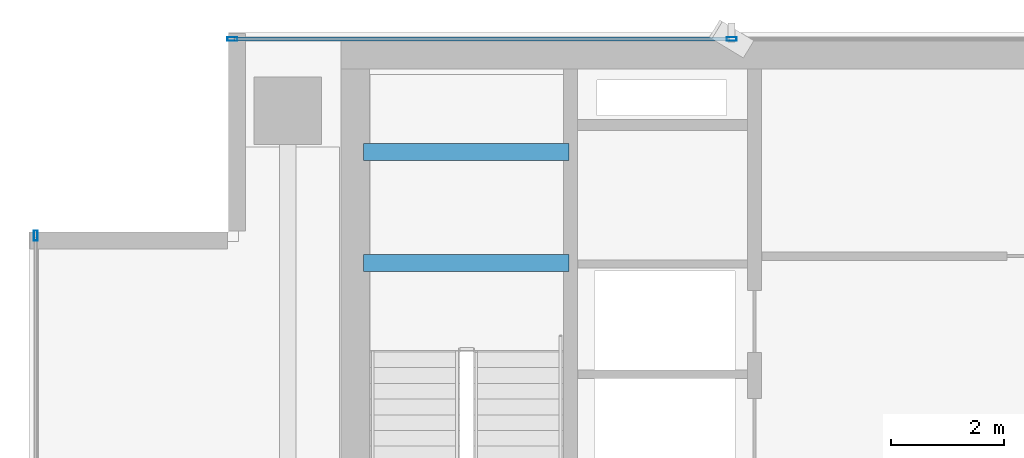
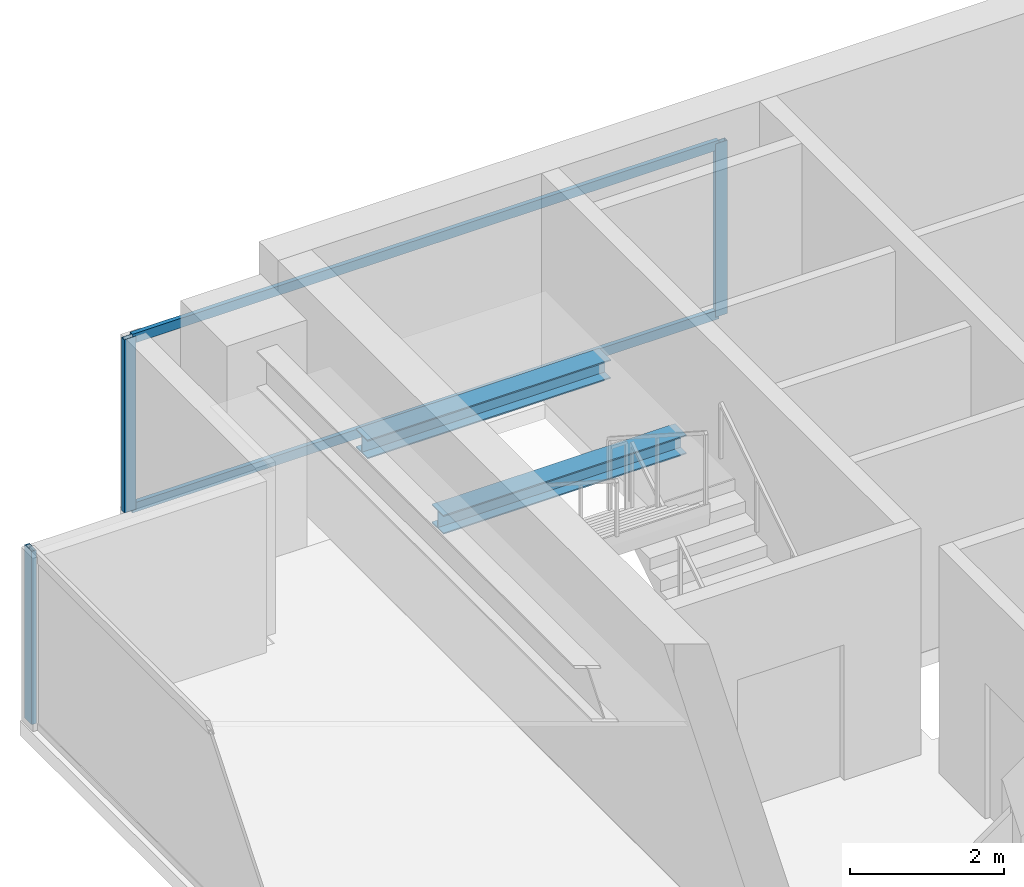
# One storey, part 11 of 22: 5 members, 2 beams, 2 elements without a shape of their own.
"""IFC4 building model written with IfcOpenShell, lengths in metres."""

from ifc_helpers import new_model, si_unit, direction, frame, origin, origin_2d, place, context, subcontext, project, spatial, hollow_rectangle, i_section, extrude, source, transform, mapped, material, layer, layer_set, material_profile, profile_set, type_object, element, aggregate, save


model = new_model("IFC4")

# Units and contexts
model_context = context("Model", 3, precision=1e-05, world=origin(), true_north=direction((0.0, 1.0)))
body_context = subcontext(model_context, "Body", "Model", "MODEL_VIEW")
ifc_project = project(units=[si_unit("LENGTHUNIT", "METRE"), si_unit("AREAUNIT", "SQUARE_METRE"), si_unit("VOLUMEUNIT", "CUBIC_METRE"), si_unit("PLANEANGLEUNIT", "RADIAN"), si_unit("MASSUNIT", "GRAM", prefix="KILO")], contexts=[model_context])

# Site, building, storey
site_placement = place(None, origin())
site = spatial("IfcSite", under=ifc_project, at=site_placement, CompositionType="ELEMENT")
building_placement = place(site_placement, origin())
building = spatial("IfcBuilding", under=site, at=building_placement, Name="Sumidabori Civic Tower", CompositionType="ELEMENT")
storey_placement = place(building_placement, frame((0.0, 0.0, 279.199951171875)))
storey = spatial("IfcBuildingStorey", under=building, at=storey_placement, Name="L73", CompositionType="ELEMENT", Elevation=279.199951171875)

# Beams
ifc_material_1 = material(Name="Steel SN490", Category="steel")
ifc_material_profile_1 = material_profile(ifc_material_1, i_section(OverallWidth=0.300048828125, OverallDepth=0.300048828125, WebThickness=0.010986328125, FlangeThickness=0.01904296875, at=origin_2d()), Name="HE 300 B")
ifc_profile_set_1 = profile_set([ifc_material_profile_1], Name="Steel SN490")
beam_type = type_object("IfcBeamType", Name="BM-LDG-300", PredefinedType="BEAM", material=ifc_profile_set_1)
shared_shape_1 = source(origin(), body_context, "Body", "SweptSolid", [
    extrude(i_section(OverallWidth=0.300048828125, OverallDepth=0.300048828125, WebThickness=0.010986328125, FlangeThickness=0.01904296875, at=origin_2d()), origin(), (0.0, 0.0, 1.0), 3.64990234375),
])
for number, where, z_axis, x_axis, name in (
    (1, (-15.449951171875, 20.09765625, 1.449951171875), (1.0, 0.0, 0.0), (0.0, 1.0, 0.0), "Stair ST-1 Landing Support Beam L73-1A"),
    (2, (-15.449951171875, 22.069580078125, 1.449951171875), (1.0, 0.0, 0.0), (0.0, 1.0, 0.0), "Stair ST-1 Landing Trimmer Beam L73-1B"),
):
    element("IfcBeam", number, at=place(storey_placement, frame(where, z_axis=z_axis, x_axis=x_axis)), inside=storey, type_object=beam_type, Name=name, PredefinedType="BEAM", context=body_context, shape_type="MappedRepresentation", body=[
        mapped(shared_shape_1, transform((0.0, 0.0, 0.0), x_axis=(1.0, 0.0, 0.0), y_axis=(0.0, 1.0, 0.0), z_axis=(0.0, 0.0, 1.0), scale=1.0)),
    ])

# Curtain wall, members
ifc_material_2 = material(Name="Anodised Bronze Aluminium AW-6063-T6", Category="aluminium")
ifc_layer = layer(ifc_material_2, 0.179931640625, Name="Anodised Bronze Aluminium AW-6063-T6")
ifc_layer_set = layer_set([ifc_layer], Name="Anodised Bronze Aluminium AW-6063-T6")
curtain_wall_type = type_object("IfcCurtainWallType", Name="CW-SYS-6", PredefinedType="NOTDEFINED", material=ifc_layer_set)
curtain_wall_1_placement = place(storey_placement, origin())
curtain_wall_1 = element("IfcCurtainWall", 3, at=curtain_wall_1_placement, inside=storey, type_object=curtain_wall_type, Name="Curtain Wall CW:L73:R07", PredefinedType="NOTDEFINED")
ifc_material_profile_2 = material_profile(ifc_material_2, hollow_rectangle(XDim=0.070068359375, YDim=0.179931640625, WallThickness=0.006103515625, at=origin_2d()), Name="ALU MULLION 180x70")
ifc_profile_set_2 = profile_set([ifc_material_profile_2], Name="Anodised Bronze Aluminium AW-6063-T6")
member_type_1 = type_object("IfcMemberType", Name="CW-MUL-180", PredefinedType="MULLION", material=ifc_profile_set_2)
shared_shape_2 = source(origin(), body_context, "Body", "SweptSolid", [
    extrude(hollow_rectangle(XDim=0.070068359375, YDim=0.179931640625, WallThickness=0.006103515625, at=origin_2d()), origin(), (0.0, 0.0, 1.0), 2.75),
])
member_1_placement = place(storey_placement, frame((-8.909912109375, 24.080078125, 0.0), z_axis=(0.0, 0.0, 1.0), x_axis=(0.0, -1.0, 0.0)))
member_1 = element("IfcMember", 4, at=member_1_placement, type_object=member_type_1, Name="CW-6 mullion 4", PredefinedType="MULLION", context=body_context, shape_type="MappedRepresentation", body=[
    mapped(shared_shape_2, transform((0.0, 0.0, 0.0), x_axis=(1.0, 0.0, 0.0), y_axis=(0.0, 1.0, 0.0), z_axis=(0.0, 0.0, 1.0), scale=1.0)),
])
member_2_placement = place(storey_placement, frame((-17.784912109375, 24.080078125, 0.0), z_axis=(0.0, 0.0, 1.0), x_axis=(0.0, -1.0, 0.0)))
member_2 = element("IfcMember", 5, at=member_2_placement, type_object=member_type_1, Name="CW-6 mullion 5", PredefinedType="MULLION", context=body_context, shape_type="MappedRepresentation", body=[
    mapped(shared_shape_2, transform((0.0, 0.0, 0.0), x_axis=(1.0, 0.0, 0.0), y_axis=(0.0, 1.0, 0.0), z_axis=(0.0, 0.0, 1.0), scale=1.0)),
])

# Curtain wall, member
curtain_wall_2_placement = place(storey_placement, origin())
curtain_wall_2 = element("IfcCurtainWall", 6, at=curtain_wall_2_placement, inside=storey, type_object=curtain_wall_type, Name="Curtain Wall CW:L73:R10", PredefinedType="NOTDEFINED")
member_3_placement = place(storey_placement, frame((-21.280029296875, 20.5849609375, 0.0), z_axis=(0.0, 0.0, 1.0), x_axis=(1.0, 0.0, 0.0)))
member_3 = element("IfcMember", 7, at=member_3_placement, type_object=member_type_1, Name="CW-6 mullion 1", PredefinedType="MULLION", context=body_context, shape_type="MappedRepresentation", body=[
    mapped(shared_shape_2, transform((0.0, 0.0, 0.0), x_axis=(1.0, 0.0, 0.0), y_axis=(0.0, 1.0, 0.0), z_axis=(0.0, 0.0, 1.0), scale=1.0)),
])
aggregate(curtain_wall_2, [member_3])

# Member
ifc_material_profile_3 = material_profile(ifc_material_2, hollow_rectangle(XDim=0.06494140625, YDim=0.14990234375, WallThickness=0.0048828125, at=origin_2d()), Name="ALU TRANSOM 150x65")
ifc_profile_set_3 = profile_set([ifc_material_profile_3], Name="Anodised Bronze Aluminium AW-6063-T6")
member_type_2 = type_object("IfcMemberType", Name="CW-TRN-150", PredefinedType="USERDEFINED", material=ifc_profile_set_3)
shared_shape_3 = source(origin(), body_context, "Body", "SweptSolid", [
    extrude(hollow_rectangle(XDim=0.06494140625, YDim=0.14990234375, WallThickness=0.0048828125, at=origin_2d()), origin(), (0.0, 0.0, 1.0), 8.804931640625),
])
member_4_placement = place(storey_placement, frame((-8.945068359375, 24.080078125, 0.032470703125), z_axis=(-1.0, 0.0, 0.0), x_axis=(0.0, -1.0, 0.0)))
member_4 = element("IfcMember", 8, at=member_4_placement, type_object=member_type_2, Name="CW-6 transom 4.1", ObjectType="TRANSOM", PredefinedType="USERDEFINED", context=body_context, shape_type="MappedRepresentation", body=[
    mapped(shared_shape_3, transform((0.0, 0.0, 0.0), x_axis=(1.0, 0.0, 0.0), y_axis=(0.0, 1.0, 0.0), z_axis=(0.0, 0.0, 1.0), scale=1.0)),
])

member_5_placement = place(storey_placement, frame((-8.945068359375, 24.080078125, 2.717529296875), z_axis=(-1.0, 0.0, 0.0), x_axis=(0.0, -1.0, 0.0)))
member_5 = element("IfcMember", 9, at=member_5_placement, type_object=member_type_2, Name="CW-6 transom 4.2", ObjectType="TRANSOM", PredefinedType="USERDEFINED", context=body_context, shape_type="MappedRepresentation", body=[
    mapped(shared_shape_3, transform((0.0, 0.0, 0.0), x_axis=(1.0, 0.0, 0.0), y_axis=(0.0, 1.0, 0.0), z_axis=(0.0, 0.0, 1.0), scale=1.0)),
])

aggregate(curtain_wall_1, [member_1, member_2, member_4, member_5])

save(model, "model.ifc")
